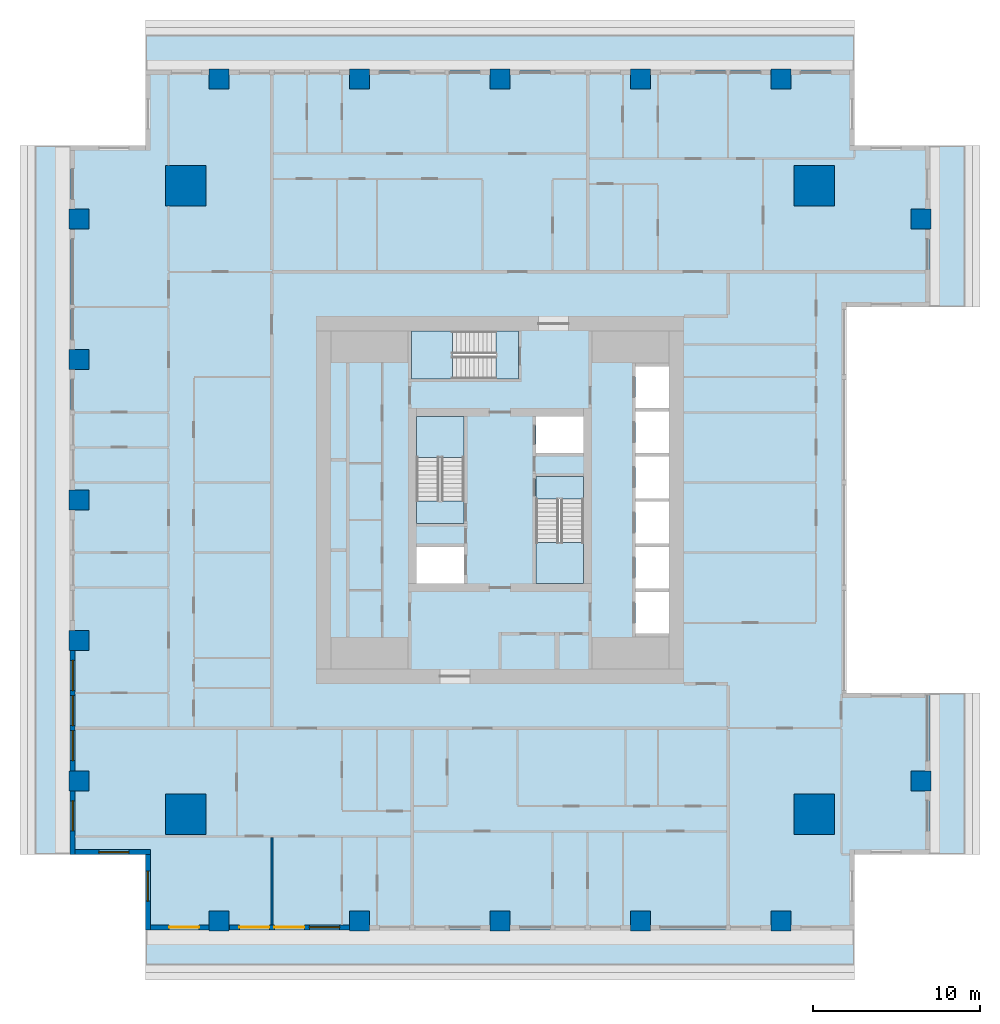
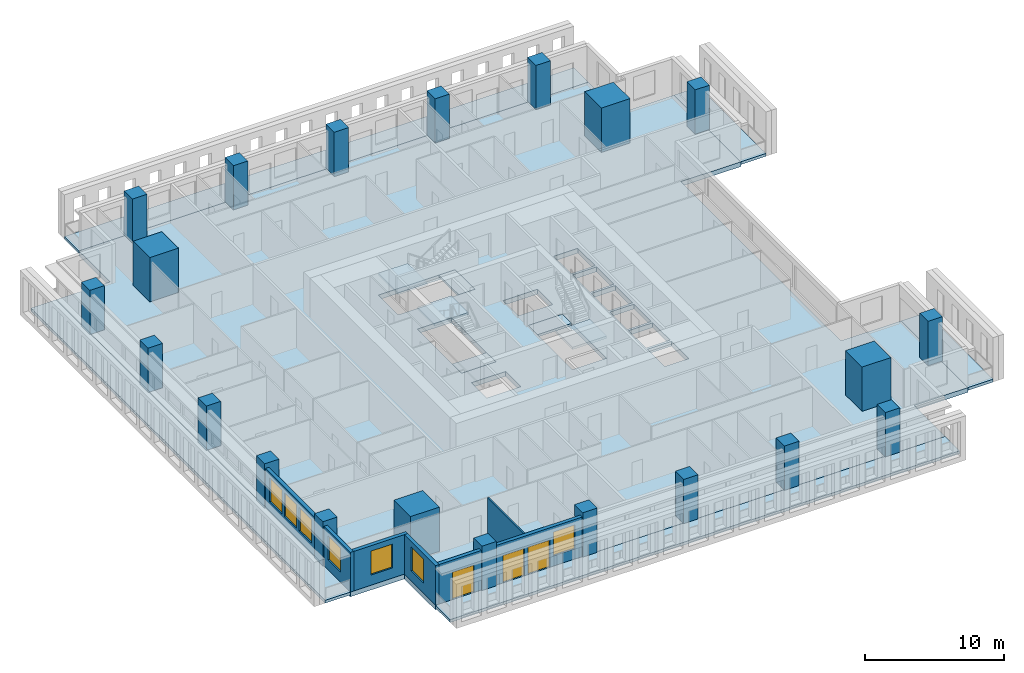
# One storey, part 1 of 15: 21 columns, 12 slabs, 7 walls, 7 windows, 3 doors, 10 openings, 3 elements without a shape of their own.
"""IFC4 building model written with IfcOpenShell, lengths in metres."""

from ifc_helpers import new_model, si_unit, direction, frame, frame_2d, origin, origin_2d, place, context, subcontext, project, spatial, polyline, rectangle, outline, extrude, material, layer, layer_set, material_profile, profile_set, type_object, element, fill, aggregate, save


model = new_model("IFC4")

# Units and contexts
model_context = context("Model", 3, precision=1e-05, world=origin(), true_north=direction((0.0, 1.0)))
body_context = subcontext(model_context, "Body", "Model", "MODEL_VIEW")
ifc_project = project(units=[si_unit("LENGTHUNIT", "METRE"), si_unit("AREAUNIT", "SQUARE_METRE"), si_unit("VOLUMEUNIT", "CUBIC_METRE"), si_unit("PLANEANGLEUNIT", "RADIAN"), si_unit("MASSUNIT", "GRAM", prefix="KILO")], contexts=[model_context])

# Site, building, storey
site_placement = place(None, origin())
site = spatial("IfcSite", under=ifc_project, at=site_placement, CompositionType="ELEMENT")
building_placement = place(site_placement, origin())
building = spatial("IfcBuilding", under=site, at=building_placement, Name="Khepri Terraces", CompositionType="ELEMENT")
storey_placement = place(building_placement, frame((0.0, 0.0, 223.5)))
storey = spatial("IfcBuildingStorey", under=building, at=storey_placement, Name="L53", CompositionType="ELEMENT", Elevation=223.5)

# Columns
ifc_material_1 = material(Name="Concrete C50/60", Category="concrete")
ifc_material_profile_1 = material_profile(ifc_material_1, rectangle(XDim=2.39990234375, YDim=2.39990234375, at=origin_2d()), Name="Concrete C50/60", Category="concrete")
ifc_profile_set_1 = profile_set([ifc_material_profile_1], Name="Concrete C50/60")
column_type_1 = type_object("IfcColumnType", Name="Mega column RC 2400x2400 C50/60", PredefinedType="COLUMN", material=ifc_profile_set_1)
for number, where, z_axis, x_axis, name in (
    (1, (18.800048828125, 18.800048828125, 0.0), (0.0, 0.0, 1.0), (1.0, 0.0, 0.0), "Mega column MEN L53"),
    (2, (18.800048828125, -18.800048828125, 0.0), (0.0, 0.0, 1.0), (1.0, 0.0, 0.0), "Mega column MES L53"),
    (3, (-18.800048828125, 18.800048828125, 0.0), (0.0, 0.0, 1.0), (1.0, 0.0, 0.0), "Mega column MWN L53"),
    (4, (-18.800048828125, -18.800048828125, 0.0), (0.0, 0.0, 1.0), (1.0, 0.0, 0.0), "Mega column MWS L53"),
):
    element("IfcColumn", number, at=place(storey_placement, frame(where, z_axis=z_axis, x_axis=x_axis)), inside=storey, type_object=column_type_1, Name=name, PredefinedType="COLUMN", context=body_context, shape_type="SweptSolid", body=[
        extrude(rectangle(XDim=2.39990234375, YDim=2.39990234375, at=origin_2d()), origin(), (0.0, 0.0, 1.0), 3.89990234375),
    ])
ifc_material_profile_2 = material_profile(ifc_material_1, rectangle(XDim=1.199951171875, YDim=1.199951171875, at=origin_2d()), Name="Concrete C50/60", Category="concrete")
ifc_profile_set_2 = profile_set([ifc_material_profile_2], Name="Concrete C50/60")
column_type_2 = type_object("IfcColumnType", Name="Tower column RC 1200x1200 C50/60", PredefinedType="COLUMN", material=ifc_profile_set_2)
for number, where, z_axis, x_axis, name in (
    (5, (25.199951171875, 16.800048828125, 0.0), (0.0, 0.0, 1.0), (1.0, 0.0, 0.0), "Perimeter column PE+168a L53"),
    (6, (25.199951171875, -16.800048828125, 0.0), (0.0, 0.0, 1.0), (1.0, 0.0, 0.0), "Perimeter column PE-168a L53"),
    (7, (0.0, 25.199951171875, 0.0), (0.0, 0.0, 1.0), (1.0, 0.0, 0.0), "Perimeter column PN+000b L53"),
    (8, (-8.39990234375, 25.199951171875, 0.0), (0.0, 0.0, 1.0), (1.0, 0.0, 0.0), "Perimeter column PN+084b L53"),
    (9, (-16.800048828125, 25.199951171875, 0.0), (0.0, 0.0, 1.0), (1.0, 0.0, 0.0), "Perimeter column PN+168a L53"),
    (10, (8.39990234375, 25.199951171875, 0.0), (0.0, 0.0, 1.0), (1.0, 0.0, 0.0), "Perimeter column PN-084b L53"),
    (11, (16.800048828125, 25.199951171875, 0.0), (0.0, 0.0, 1.0), (1.0, 0.0, 0.0), "Perimeter column PN-168a L53"),
    (12, (0.0, -25.199951171875, 0.0), (0.0, 0.0, 1.0), (1.0, 0.0, 0.0), "Perimeter column PS+000b L53"),
    (13, (8.39990234375, -25.199951171875, 0.0), (0.0, 0.0, 1.0), (1.0, 0.0, 0.0), "Perimeter column PS+084b L53"),
    (14, (16.800048828125, -25.199951171875, 0.0), (0.0, 0.0, 1.0), (1.0, 0.0, 0.0), "Perimeter column PS+168a L53"),
    (15, (-8.39990234375, -25.199951171875, 0.0), (0.0, 0.0, 1.0), (1.0, 0.0, 0.0), "Perimeter column PS-084b L53"),
    (16, (-16.800048828125, -25.199951171875, 0.0), (0.0, 0.0, 1.0), (1.0, 0.0, 0.0), "Perimeter column PS-168a L53"),
    (17, (-25.199951171875, 0.0, 0.0), (0.0, 0.0, 1.0), (1.0, 0.0, 0.0), "Perimeter column PW+000b L53"),
    (18, (-25.199951171875, -8.39990234375, 0.0), (0.0, 0.0, 1.0), (1.0, 0.0, 0.0), "Perimeter column PW+084b L53"),
    (19, (-25.199951171875, -16.800048828125, 0.0), (0.0, 0.0, 1.0), (1.0, 0.0, 0.0), "Perimeter column PW+168a L53"),
    (20, (-25.199951171875, 8.39990234375, 0.0), (0.0, 0.0, 1.0), (1.0, 0.0, 0.0), "Perimeter column PW-084b L53"),
    (21, (-25.199951171875, 16.800048828125, 0.0), (0.0, 0.0, 1.0), (1.0, 0.0, 0.0), "Perimeter column PW-168a L53"),
):
    element("IfcColumn", number, at=place(storey_placement, frame(where, z_axis=z_axis, x_axis=x_axis)), inside=storey, type_object=column_type_2, Name=name, PredefinedType="COLUMN", context=body_context, shape_type="SweptSolid", body=[
        extrude(rectangle(XDim=1.199951171875, YDim=1.199951171875, at=origin_2d()), origin(), (0.0, 0.0, 1.0), 3.89990234375),
    ])

# Slabs
ifc_material_2 = material(Name="Concrete C40/50", Category="concrete")
ifc_layer_1 = layer(ifc_material_2, 0.419921875, Name="Concrete C40/50", Category="concrete")
ifc_layer_set_1 = layer_set([ifc_layer_1], Name="Concrete C40/50")
slab_type_1 = type_object("IfcSlabType", Name="Flat plate 420", PredefinedType="FLOOR", material=ifc_layer_set_1)
slab_1_placement = place(storey_placement, frame((0.0, 0.0, -0.419921875)))
element("IfcSlab", 22, at=slab_1_placement, inside=storey, type_object=slab_type_1, Name="Floor slab F01 L53", PredefinedType="FLOOR", context=body_context, shape_type="SweptSolid", body=[
    extrude(outline(polyline([(25.719970703125, 11.550048828125), (20.719970703125, 11.550048828125), (20.719970703125, -11.550048828125), (25.719970703125, -11.550048828125), (25.719970703125, -21.219970703125), (21.219970703125, -21.219970703125), (21.219970703125, -25.719970703125), (-21.219970703125, -25.719970703125), (-21.219970703125, -21.219970703125), (-25.719970703125, -21.219970703125), (-25.719970703125, 21.219970703125), (-21.219970703125, 21.219970703125), (-21.219970703125, 25.719970703125), (21.219970703125, 25.719970703125), (21.219970703125, 21.219970703125), (25.719970703125, 21.219970703125), (25.719970703125, 11.550048828125)]), holes=[polyline([(2.14990234375, 2.800048828125), (5.0, 2.800048828125), (5.0, 5.0), (2.14990234375, 5.0), (2.14990234375, 2.800048828125)]), polyline([(-5.0, -2.800048828125), (-5.0, -5.0), (-2.14990234375, -5.0), (-2.14990234375, -2.800048828125), (-5.0, -2.800048828125)]), polyline([(10.10009765625, -5.5), (8.10009765625, -5.5), (8.10009765625, -8.0), (10.10009765625, -8.0), (10.10009765625, -5.5)]), polyline([(10.10009765625, -5.300048828125), (10.10009765625, -2.800048828125), (8.10009765625, -2.800048828125), (8.10009765625, -5.300048828125), (10.10009765625, -5.300048828125)]), polyline([(8.10009765625, -2.60009765625), (10.10009765625, -2.60009765625), (10.10009765625, -0.10009765625), (8.10009765625, -0.10009765625), (8.10009765625, -2.60009765625)]), polyline([(8.10009765625, 2.60009765625), (8.10009765625, 0.10009765625), (10.10009765625, 0.10009765625), (10.10009765625, 2.60009765625), (8.10009765625, 2.60009765625)]), polyline([(10.10009765625, 5.300048828125), (8.10009765625, 5.300048828125), (8.10009765625, 2.800048828125), (10.10009765625, 2.800048828125), (10.10009765625, 5.300048828125)]), polyline([(10.10009765625, 5.5), (10.10009765625, 8.0), (8.10009765625, 8.0), (8.10009765625, 5.5), (10.10009765625, 5.5)]), polyline([(-5.0, -1.39990234375), (-2.14990234375, -1.39990234375), (-2.14990234375, 5.0), (-5.0, 5.0), (-5.0, -1.39990234375)]), polyline([(5.0, -5.0), (5.0, 1.39990234375), (2.14990234375, 1.39990234375), (2.14990234375, -5.0), (5.0, -5.0)]), polyline([(-5.300048828125, 10.10009765625), (-5.300048828125, 7.25), (1.10009765625, 7.25), (1.10009765625, 10.10009765625), (-5.300048828125, 10.10009765625)])]), origin(), (0.0, 0.0, 1.0), 0.419921875),
])
ifc_material_3 = material(Name="Precast concrete C50/60 warm stone", Category="masonry")
ifc_layer_2 = layer(ifc_material_3, 0.25, Name="Precast concrete C50/60 warm stone", Category="masonry")
ifc_layer_set_2 = layer_set([ifc_layer_2], Name="Precast concrete C50/60 warm stone")
slab_type_2 = type_object("IfcSlabType", Name="SLB-BALCONY-250", PredefinedType="FLOOR", material=ifc_layer_set_2)
slab_2_placement = place(storey_placement, frame((0.0, 0.0, -0.25)))
element("IfcSlab", 23, at=slab_2_placement, inside=storey, type_object=slab_type_2, Name="Balcony slab L53 S", PredefinedType="FLOOR", context=body_context, shape_type="SweptSolid", body=[
    extrude(outline(polyline([(-17.39990234375, -25.719970703125), (-21.219970703125, -25.719970703125), (-21.219970703125, -27.820068359375), (21.219970703125, -27.820068359375), (21.219970703125, -25.719970703125), (17.39990234375, -25.719970703125), (17.39990234375, -25.800048828125), (16.199951171875, -25.800048828125), (16.199951171875, -25.719970703125), (9.0, -25.719970703125), (9.0, -25.800048828125), (7.800048828125, -25.800048828125), (7.800048828125, -25.719970703125), (0.60009765625, -25.719970703125), (0.60009765625, -25.800048828125), (-0.60009765625, -25.800048828125), (-0.60009765625, -25.719970703125), (-7.800048828125, -25.719970703125), (-7.800048828125, -25.800048828125), (-9.0, -25.800048828125), (-9.0, -25.719970703125), (-16.199951171875, -25.719970703125), (-16.199951171875, -25.800048828125), (-17.39990234375, -25.800048828125), (-17.39990234375, -25.719970703125)])), origin(), (0.0, 0.0, 1.0), 0.25),
])
slab_3_placement = place(storey_placement, frame((0.0, 0.0, -0.25)))
element("IfcSlab", 24, at=slab_3_placement, inside=storey, type_object=slab_type_2, Name="Balcony slab L53 E", PredefinedType="FLOOR", context=body_context, shape_type="SweptSolid", body=[
    extrude(outline(polyline([(25.719970703125, -17.39990234375), (25.719970703125, -21.219970703125), (27.820068359375, -21.219970703125), (27.820068359375, -11.550048828125), (25.719970703125, -11.550048828125), (25.719970703125, -16.199951171875), (25.800048828125, -16.199951171875), (25.800048828125, -17.39990234375), (25.719970703125, -17.39990234375)])), origin(), (0.0, 0.0, 1.0), 0.25),
])
slab_4_placement = place(storey_placement, frame((0.0, 0.0, -0.25)))
element("IfcSlab", 25, at=slab_4_placement, inside=storey, type_object=slab_type_2, Name="Balcony slab L53 E", PredefinedType="FLOOR", context=body_context, shape_type="SweptSolid", body=[
    extrude(outline(polyline([(25.719970703125, 16.199951171875), (25.719970703125, 11.550048828125), (27.820068359375, 11.550048828125), (27.820068359375, 21.219970703125), (25.719970703125, 21.219970703125), (25.719970703125, 17.39990234375), (25.800048828125, 17.39990234375), (25.800048828125, 16.199951171875), (25.719970703125, 16.199951171875)])), origin(), (0.0, 0.0, 1.0), 0.25),
])
slab_5_placement = place(storey_placement, frame((0.0, 0.0, -0.25)))
element("IfcSlab", 26, at=slab_5_placement, inside=storey, type_object=slab_type_2, Name="Balcony slab L53 N", PredefinedType="FLOOR", context=body_context, shape_type="SweptSolid", body=[
    extrude(outline(polyline([(17.39990234375, 25.719970703125), (21.219970703125, 25.719970703125), (21.219970703125, 27.820068359375), (-21.219970703125, 27.820068359375), (-21.219970703125, 25.719970703125), (-17.39990234375, 25.719970703125), (-17.39990234375, 25.800048828125), (-16.199951171875, 25.800048828125), (-16.199951171875, 25.719970703125), (-9.0, 25.719970703125), (-9.0, 25.800048828125), (-7.800048828125, 25.800048828125), (-7.800048828125, 25.719970703125), (-0.60009765625, 25.719970703125), (-0.60009765625, 25.800048828125), (0.60009765625, 25.800048828125), (0.60009765625, 25.719970703125), (7.800048828125, 25.719970703125), (7.800048828125, 25.800048828125), (9.0, 25.800048828125), (9.0, 25.719970703125), (16.199951171875, 25.719970703125), (16.199951171875, 25.800048828125), (17.39990234375, 25.800048828125), (17.39990234375, 25.719970703125)])), origin(), (0.0, 0.0, 1.0), 0.25),
])
slab_6_placement = place(storey_placement, frame((0.0, 0.0, -0.25)))
element("IfcSlab", 27, at=slab_6_placement, inside=storey, type_object=slab_type_2, Name="Balcony slab L53 W", PredefinedType="FLOOR", context=body_context, shape_type="SweptSolid", body=[
    extrude(outline(polyline([(-25.719970703125, 17.39990234375), (-25.719970703125, 21.219970703125), (-27.820068359375, 21.219970703125), (-27.820068359375, -21.219970703125), (-25.719970703125, -21.219970703125), (-25.719970703125, -17.39990234375), (-25.800048828125, -17.39990234375), (-25.800048828125, -16.199951171875), (-25.719970703125, -16.199951171875), (-25.719970703125, -9.0), (-25.800048828125, -9.0), (-25.800048828125, -7.800048828125), (-25.719970703125, -7.800048828125), (-25.719970703125, -0.60009765625), (-25.800048828125, -0.60009765625), (-25.800048828125, 0.60009765625), (-25.719970703125, 0.60009765625), (-25.719970703125, 7.800048828125), (-25.800048828125, 7.800048828125), (-25.800048828125, 9.0), (-25.719970703125, 9.0), (-25.719970703125, 16.199951171875), (-25.800048828125, 16.199951171875), (-25.800048828125, 17.39990234375), (-25.719970703125, 17.39990234375)])), origin(), (0.0, 0.0, 1.0), 0.25),
])

# Stair, slabs
stair_type = type_object("IfcStairType", Name="STAIR-RC-22R", PredefinedType="HALF_TURN_STAIR", material=ifc_material_2)
stair_1_placement = place(storey_placement, origin())
stair_1 = element("IfcStair", 28, at=stair_1_placement, inside=storey, type_object=stair_type, Name="L53 Exit Stair ST-1", PredefinedType="HALF_TURN_STAIR")
ifc_layer_3 = layer(ifc_material_2, 0.199951171875, Name="Concrete C40/50", Category="concrete")
ifc_layer_set_3 = layer_set([ifc_layer_3], Name="Concrete C40/50")
slab_type_3 = type_object("IfcSlabType", Name="SLB-CORE-LANDING", PredefinedType="LANDING", material=ifc_layer_set_3)
slab_7_placement = place(storey_placement, frame((0.0, 0.0, -0.199951171875)))
slab_7 = element("IfcSlab", 29, at=slab_7_placement, type_object=slab_type_3, Name="ST-1 landing 1", PredefinedType="LANDING", context=body_context, shape_type="SweptSolid", body=[
    extrude(outline(polyline([(-2.14990234375, -1.39990234375), (-2.14990234375, -0.050048828125), (-5.0, -0.050048828125), (-5.0, -1.39990234375), (-2.14990234375, -1.39990234375)])), origin(), (0.0, 0.0, 1.0), 0.199951171875),
])
slab_8_placement = place(storey_placement, frame((0.0, 0.0, 1.75)))
slab_8 = element("IfcSlab", 30, at=slab_8_placement, type_object=slab_type_3, Name="ST-1 landing 2", PredefinedType="LANDING", context=body_context, shape_type="SweptSolid", body=[
    extrude(outline(polyline([(-2.14990234375, 2.550048828125), (-2.14990234375, 5.0), (-5.0, 5.0), (-5.0, 2.550048828125), (-2.14990234375, 2.550048828125)])), origin(), (0.0, 0.0, 1.0), 0.199951171875),
])
aggregate(stair_1, [slab_7, slab_8])

stair_2_placement = place(storey_placement, origin())
stair_2 = element("IfcStair", 31, at=stair_2_placement, inside=storey, type_object=stair_type, Name="L53 Exit Stair ST-2", PredefinedType="HALF_TURN_STAIR")
slab_9_placement = place(storey_placement, frame((0.0, 0.0, -0.199951171875)))
slab_9 = element("IfcSlab", 32, at=slab_9_placement, type_object=slab_type_3, Name="ST-2 landing 1", PredefinedType="LANDING", context=body_context, shape_type="SweptSolid", body=[
    extrude(outline(polyline([(2.14990234375, 1.39990234375), (2.14990234375, 0.050048828125), (5.0, 0.050048828125), (5.0, 1.39990234375), (2.14990234375, 1.39990234375)])), origin(), (0.0, 0.0, 1.0), 0.199951171875),
])
slab_10_placement = place(storey_placement, frame((0.0, 0.0, 1.75)))
slab_10 = element("IfcSlab", 33, at=slab_10_placement, type_object=slab_type_3, Name="ST-2 landing 2", PredefinedType="LANDING", context=body_context, shape_type="SweptSolid", body=[
    extrude(outline(polyline([(2.14990234375, -2.550048828125), (2.14990234375, -5.0), (5.0, -5.0), (5.0, -2.550048828125), (2.14990234375, -2.550048828125)])), origin(), (0.0, 0.0, 1.0), 0.199951171875),
])
aggregate(stair_2, [slab_9, slab_10])

stair_3_placement = place(storey_placement, origin())
stair_3 = element("IfcStair", 34, at=stair_3_placement, inside=storey, type_object=stair_type, Name="L53 Exit Stair ST-3", PredefinedType="HALF_TURN_STAIR")
slab_11_placement = place(storey_placement, frame((0.0, 0.0, -0.199951171875)))
slab_11 = element("IfcSlab", 35, at=slab_11_placement, type_object=slab_type_3, Name="ST-3 landing 1", PredefinedType="LANDING", context=body_context, shape_type="SweptSolid", body=[
    extrude(outline(polyline([(1.10009765625, 10.10009765625), (-0.25, 10.10009765625), (-0.25, 7.25), (1.10009765625, 7.25), (1.10009765625, 10.10009765625)])), origin(), (0.0, 0.0, 1.0), 0.199951171875),
])
slab_12_placement = place(storey_placement, frame((0.0, 0.0, 1.75)))
slab_12 = element("IfcSlab", 36, at=slab_12_placement, type_object=slab_type_3, Name="ST-3 landing 2", PredefinedType="LANDING", context=body_context, shape_type="SweptSolid", body=[
    extrude(outline(polyline([(-2.85009765625, 10.10009765625), (-5.300048828125, 10.10009765625), (-5.300048828125, 7.25), (-2.85009765625, 7.25), (-2.85009765625, 10.10009765625)])), origin(), (0.0, 0.0, 1.0), 0.199951171875),
])
aggregate(stair_3, [slab_11, slab_12])

# Wall, openings, windows
ifc_layer_4 = layer(ifc_material_3, 0.300048828125, Name="Precast concrete C50/60 warm stone", Category="masonry")
ifc_layer_set_4 = layer_set([ifc_layer_4], Name="Precast concrete C50/60 warm stone")
wall_type_1 = type_object("IfcWallType", Name="WL-EXT-PRECAST-300", PredefinedType="STANDARD", material=ifc_layer_set_4)
wall_1_placement = place(storey_placement, frame((-25.570068359375, -9.0, 0.0), z_axis=(0.0, 0.0, 1.0), x_axis=(0.0, -1.0, 0.0)))
wall_1 = element("IfcWall", 37, at=wall_1_placement, inside=storey, type_object=wall_type_1, Name="External wall L53 W", PredefinedType="STANDARD", context=body_context, shape_type="SweptSolid", body=[
    extrude(rectangle(XDim=7.199951171875, YDim=0.300048828125, at=frame_2d((3.60009765625, 0.0))), origin(), (0.0, 0.0, 1.0), 3.47998046875),
])
opening_1_placement = place(wall_1_placement, frame((0.60009765625, 0.0, 0.89990234375)))
opening_1 = element("IfcOpeningElement", 38, at=opening_1_placement, cuts=wall_1, Name="Opening W1", PredefinedType="OPENING", context=body_context, shape_type="SweptSolid", body=[
    extrude(rectangle(XDim=1.800048828125, YDim=2.10009765625, at=frame_2d((0.89990234375, 1.050048828125))), frame((0.0, 0.16015625, 0.0), z_axis=(0.0, -1.0, 0.0), x_axis=(1.0, 0.0, 0.0)), (0.0, 0.0, 1.0), 0.320068359375),
])
opening_2_placement = place(wall_1_placement, frame((2.699951171875, 0.0, 0.89990234375)))
opening_2 = element("IfcOpeningElement", 39, at=opening_2_placement, cuts=wall_1, Name="Opening W1", PredefinedType="OPENING", context=body_context, shape_type="SweptSolid", body=[
    extrude(rectangle(XDim=1.800048828125, YDim=2.10009765625, at=frame_2d((0.89990234375, 1.050048828125))), frame((0.0, 0.16015625, 0.0), z_axis=(0.0, -1.0, 0.0), x_axis=(1.0, 0.0, 0.0)), (0.0, 0.0, 1.0), 0.320068359375),
])
opening_3_placement = place(wall_1_placement, frame((4.800048828125, 0.0, 0.89990234375)))
opening_3 = element("IfcOpeningElement", 40, at=opening_3_placement, cuts=wall_1, Name="Opening W1", PredefinedType="OPENING", context=body_context, shape_type="SweptSolid", body=[
    extrude(rectangle(XDim=1.800048828125, YDim=2.10009765625, at=frame_2d((0.89990234375, 1.050048828125))), frame((0.0, 0.16015625, 0.0), z_axis=(0.0, -1.0, 0.0), x_axis=(1.0, 0.0, 0.0)), (0.0, 0.0, 1.0), 0.320068359375),
])
ifc_material_4 = material(Name="Clear glass", Category="glass")
window_type = type_object("IfcWindowType", Name="WIN-RES-1800x2100", PartitioningType="SINGLE_PANEL", PredefinedType="WINDOW", material=ifc_material_4)
window_1_placement = place(opening_1_placement, origin())
window_1 = element("IfcWindow", 41, at=window_1_placement, inside=storey, type_object=window_type, Name="Window L53 W", OverallHeight=2.10009765625, OverallWidth=1.800048828125, PartitioningType="SINGLE_PANEL", PredefinedType="WINDOW", context=body_context, shape_type="SweptSolid", body=[
    extrude(rectangle(XDim=1.800048828125, YDim=2.10009765625, at=frame_2d((0.89990234375, 1.050048828125))), frame((0.0, 0.030029296875, 0.0), z_axis=(0.0, -1.0, 0.0), x_axis=(1.0, 0.0, 0.0)), (0.0, 0.0, 1.0), 0.06005859375),
])
fill(opening_1, window_1)
window_2_placement = place(opening_2_placement, origin())
window_2 = element("IfcWindow", 42, at=window_2_placement, inside=storey, type_object=window_type, Name="Window L53 W", OverallHeight=2.10009765625, OverallWidth=1.800048828125, PartitioningType="SINGLE_PANEL", PredefinedType="WINDOW", context=body_context, shape_type="SweptSolid", body=[
    extrude(rectangle(XDim=1.800048828125, YDim=2.10009765625, at=frame_2d((0.89990234375, 1.050048828125))), frame((0.0, 0.030029296875, 0.0), z_axis=(0.0, -1.0, 0.0), x_axis=(1.0, 0.0, 0.0)), (0.0, 0.0, 1.0), 0.06005859375),
])
fill(opening_2, window_2)
window_3_placement = place(opening_3_placement, origin())
window_3 = element("IfcWindow", 43, at=window_3_placement, inside=storey, type_object=window_type, Name="Window L53 W", OverallHeight=2.10009765625, OverallWidth=1.800048828125, PartitioningType="SINGLE_PANEL", PredefinedType="WINDOW", context=body_context, shape_type="SweptSolid", body=[
    extrude(rectangle(XDim=1.800048828125, YDim=2.10009765625, at=frame_2d((0.89990234375, 1.050048828125))), frame((0.0, 0.030029296875, 0.0), z_axis=(0.0, -1.0, 0.0), x_axis=(1.0, 0.0, 0.0)), (0.0, 0.0, 1.0), 0.06005859375),
])
fill(opening_3, window_3)

# Wall, opening, window
wall_2_placement = place(storey_placement, frame((-25.570068359375, -17.39990234375, 0.0), z_axis=(0.0, 0.0, 1.0), x_axis=(0.0, -1.0, 0.0)))
wall_2 = element("IfcWall", 44, at=wall_2_placement, inside=storey, type_object=wall_type_1, Name="External wall L53 W", PredefinedType="STANDARD", context=body_context, shape_type="SweptSolid", body=[
    extrude(rectangle(XDim=3.820068359375, YDim=0.300048828125, at=frame_2d((1.91015625, 0.0))), origin(), (0.0, 0.0, 1.0), 3.47998046875),
])
opening_4_placement = place(wall_2_placement, frame((0.60009765625, 0.0, 0.89990234375)))
opening_4 = element("IfcOpeningElement", 45, at=opening_4_placement, cuts=wall_2, Name="Opening W1", PredefinedType="OPENING", context=body_context, shape_type="SweptSolid", body=[
    extrude(rectangle(XDim=1.800048828125, YDim=2.10009765625, at=frame_2d((0.89990234375, 1.050048828125))), frame((0.0, 0.16015625, 0.0), z_axis=(0.0, -1.0, 0.0), x_axis=(1.0, 0.0, 0.0)), (0.0, 0.0, 1.0), 0.320068359375),
])
window_4_placement = place(opening_4_placement, origin())
window_4 = element("IfcWindow", 46, at=window_4_placement, inside=storey, type_object=window_type, Name="Window L53 W", OverallHeight=2.10009765625, OverallWidth=1.800048828125, PartitioningType="SINGLE_PANEL", PredefinedType="WINDOW", context=body_context, shape_type="SweptSolid", body=[
    extrude(rectangle(XDim=1.800048828125, YDim=2.10009765625, at=frame_2d((0.89990234375, 1.050048828125))), frame((0.0, 0.030029296875, 0.0), z_axis=(0.0, -1.0, 0.0), x_axis=(1.0, 0.0, 0.0)), (0.0, 0.0, 1.0), 0.06005859375),
])
fill(opening_4, window_4)

wall_3_placement = place(storey_placement, frame((-25.419921875, -21.070068359375, 0.0), z_axis=(0.0, 0.0, 1.0), x_axis=(1.0, 0.0, 0.0)))
wall_3 = element("IfcWall", 47, at=wall_3_placement, inside=storey, type_object=wall_type_1, Name="External wall L53 S", PredefinedType="STANDARD", context=body_context, shape_type="SweptSolid", body=[
    extrude(rectangle(XDim=4.5, YDim=0.300048828125, at=frame_2d((2.25, 0.0))), origin(), (0.0, 0.0, 1.0), 3.47998046875),
])
opening_5_placement = place(wall_3_placement, frame((1.419921875, 0.0, 0.89990234375)))
opening_5 = element("IfcOpeningElement", 48, at=opening_5_placement, cuts=wall_3, Name="Opening W1", PredefinedType="OPENING", context=body_context, shape_type="SweptSolid", body=[
    extrude(rectangle(XDim=1.800048828125, YDim=2.10009765625, at=frame_2d((0.89990234375, 1.050048828125))), frame((0.0, 0.16015625, 0.0), z_axis=(0.0, -1.0, 0.0), x_axis=(1.0, 0.0, 0.0)), (0.0, 0.0, 1.0), 0.320068359375),
])
window_5_placement = place(opening_5_placement, origin())
window_5 = element("IfcWindow", 49, at=window_5_placement, inside=storey, type_object=window_type, Name="Window L53 S", OverallHeight=2.10009765625, OverallWidth=1.800048828125, PartitioningType="SINGLE_PANEL", PredefinedType="WINDOW", context=body_context, shape_type="SweptSolid", body=[
    extrude(rectangle(XDim=1.800048828125, YDim=2.10009765625, at=frame_2d((0.89990234375, 1.050048828125))), frame((0.0, 0.030029296875, 0.0), z_axis=(0.0, -1.0, 0.0), x_axis=(1.0, 0.0, 0.0)), (0.0, 0.0, 1.0), 0.06005859375),
])
fill(opening_5, window_5)

wall_4_placement = place(storey_placement, frame((-21.070068359375, -21.219970703125, 0.0), z_axis=(0.0, 0.0, 1.0), x_axis=(0.0, -1.0, 0.0)))
wall_4 = element("IfcWall", 50, at=wall_4_placement, inside=storey, type_object=wall_type_1, Name="External wall L53 W", PredefinedType="STANDARD", context=body_context, shape_type="SweptSolid", body=[
    extrude(rectangle(XDim=4.5, YDim=0.300048828125, at=frame_2d((2.25, 0.0))), origin(), (0.0, 0.0, 1.0), 3.47998046875),
])
opening_6_placement = place(wall_4_placement, frame((0.97998046875, 0.0, 0.89990234375)))
opening_6 = element("IfcOpeningElement", 51, at=opening_6_placement, cuts=wall_4, Name="Opening W1", PredefinedType="OPENING", context=body_context, shape_type="SweptSolid", body=[
    extrude(rectangle(XDim=1.800048828125, YDim=2.10009765625, at=frame_2d((0.89990234375, 1.050048828125))), frame((0.0, 0.16015625, 0.0), z_axis=(0.0, -1.0, 0.0), x_axis=(1.0, 0.0, 0.0)), (0.0, 0.0, 1.0), 0.320068359375),
])
window_6_placement = place(opening_6_placement, origin())
window_6 = element("IfcWindow", 52, at=window_6_placement, inside=storey, type_object=window_type, Name="Window L53 W", OverallHeight=2.10009765625, OverallWidth=1.800048828125, PartitioningType="SINGLE_PANEL", PredefinedType="WINDOW", context=body_context, shape_type="SweptSolid", body=[
    extrude(rectangle(XDim=1.800048828125, YDim=2.10009765625, at=frame_2d((0.89990234375, 1.050048828125))), frame((0.0, 0.030029296875, 0.0), z_axis=(0.0, -1.0, 0.0), x_axis=(1.0, 0.0, 0.0)), (0.0, 0.0, 1.0), 0.06005859375),
])
fill(opening_6, window_6)

# Wall, opening, door
wall_5_placement = place(storey_placement, frame((-20.919921875, -25.570068359375, 0.0), z_axis=(0.0, 0.0, 1.0), x_axis=(1.0, 0.0, 0.0)))
wall_5 = element("IfcWall", 53, at=wall_5_placement, inside=storey, type_object=wall_type_1, Name="External wall L53 S", PredefinedType="STANDARD", context=body_context, shape_type="SweptSolid", body=[
    extrude(rectangle(XDim=3.52001953125, YDim=0.300048828125, at=frame_2d((1.760009765625, 0.0))), origin(), (0.0, 0.0, 1.0), 3.47998046875),
])
opening_7_placement = place(wall_5_placement, frame((1.1201171875, 0.0, 0.0)))
opening_7 = element("IfcOpeningElement", 54, at=opening_7_placement, cuts=wall_5, Name="Opening ED-L53-14", PredefinedType="OPENING", context=body_context, shape_type="SweptSolid", body=[
    extrude(rectangle(XDim=1.800048828125, YDim=2.39990234375, at=frame_2d((0.89990234375, 1.199951171875))), frame((0.0, 0.16015625, 0.0), z_axis=(0.0, -1.0, 0.0), x_axis=(1.0, 0.0, 0.0)), (0.0, 0.0, 1.0), 0.320068359375),
])
ifc_material_5 = material(Name="Anodised aluminium bronze glazed door", Category="aluminium")
door_type = type_object("IfcDoorType", Name="DR-BAL-SLIDE-1800x2400", OperationType="NOTDEFINED", PredefinedType="DOOR", material=ifc_material_5)
door_1_placement = place(opening_7_placement, origin())
door_1 = element("IfcDoor", 55, at=door_1_placement, inside=storey, type_object=door_type, Name="Balcony door L53 S", OperationType="SLIDING_TO_RIGHT", OverallHeight=2.39990234375, OverallWidth=1.800048828125, PredefinedType="DOOR", context=body_context, shape_type="SweptSolid", body=[
    extrude(rectangle(XDim=1.800048828125, YDim=2.39990234375, at=frame_2d((0.89990234375, 1.199951171875))), frame((0.0, 0.02490234375, 0.0), z_axis=(0.0, -1.0, 0.0), x_axis=(1.0, 0.0, 0.0)), (0.0, 0.0, 1.0), 0.050048828125),
])
fill(opening_7, door_1)

# Wall, openings, doors, window
wall_6_placement = place(storey_placement, frame((-16.199951171875, -25.570068359375, 0.0), z_axis=(0.0, 0.0, 1.0), x_axis=(1.0, 0.0, 0.0)))
wall_6 = element("IfcWall", 56, at=wall_6_placement, inside=storey, type_object=wall_type_1, Name="External wall L53 S", PredefinedType="STANDARD", context=body_context, shape_type="SweptSolid", body=[
    extrude(rectangle(XDim=7.199951171875, YDim=0.300048828125, at=frame_2d((3.60009765625, 0.0))), origin(), (0.0, 0.0, 1.0), 3.47998046875),
])
opening_8_placement = place(wall_6_placement, frame((0.60009765625, 0.0, 0.0)))
opening_8 = element("IfcOpeningElement", 57, at=opening_8_placement, cuts=wall_6, Name="Opening ED-L53-15", PredefinedType="OPENING", context=body_context, shape_type="SweptSolid", body=[
    extrude(rectangle(XDim=1.800048828125, YDim=2.39990234375, at=frame_2d((0.89990234375, 1.199951171875))), frame((0.0, 0.16015625, 0.0), z_axis=(0.0, -1.0, 0.0), x_axis=(1.0, 0.0, 0.0)), (0.0, 0.0, 1.0), 0.320068359375),
])
opening_9_placement = place(wall_6_placement, frame((2.699951171875, 0.0, 0.0)))
opening_9 = element("IfcOpeningElement", 58, at=opening_9_placement, cuts=wall_6, Name="Opening ED-L53-16", PredefinedType="OPENING", context=body_context, shape_type="SweptSolid", body=[
    extrude(rectangle(XDim=1.800048828125, YDim=2.39990234375, at=frame_2d((0.89990234375, 1.199951171875))), frame((0.0, 0.16015625, 0.0), z_axis=(0.0, -1.0, 0.0), x_axis=(1.0, 0.0, 0.0)), (0.0, 0.0, 1.0), 0.320068359375),
])
opening_10_placement = place(wall_6_placement, frame((4.800048828125, 0.0, 0.89990234375)))
opening_10 = element("IfcOpeningElement", 59, at=opening_10_placement, cuts=wall_6, Name="Opening W1", PredefinedType="OPENING", context=body_context, shape_type="SweptSolid", body=[
    extrude(rectangle(XDim=1.800048828125, YDim=2.10009765625, at=frame_2d((0.89990234375, 1.050048828125))), frame((0.0, 0.16015625, 0.0), z_axis=(0.0, -1.0, 0.0), x_axis=(1.0, 0.0, 0.0)), (0.0, 0.0, 1.0), 0.320068359375),
])
door_2_placement = place(opening_8_placement, origin())
door_2 = element("IfcDoor", 60, at=door_2_placement, inside=storey, type_object=door_type, Name="Balcony door L53 S", OperationType="SLIDING_TO_LEFT", OverallHeight=2.39990234375, OverallWidth=1.800048828125, PredefinedType="DOOR", context=body_context, shape_type="SweptSolid", body=[
    extrude(rectangle(XDim=1.800048828125, YDim=2.39990234375, at=frame_2d((0.89990234375, 1.199951171875))), frame((0.0, 0.02490234375, 0.0), z_axis=(0.0, -1.0, 0.0), x_axis=(1.0, 0.0, 0.0)), (0.0, 0.0, 1.0), 0.050048828125),
])
fill(opening_8, door_2)
door_3_placement = place(opening_9_placement, origin())
door_3 = element("IfcDoor", 61, at=door_3_placement, inside=storey, type_object=door_type, Name="Balcony door L53 S", OperationType="SLIDING_TO_RIGHT", OverallHeight=2.39990234375, OverallWidth=1.800048828125, PredefinedType="DOOR", context=body_context, shape_type="SweptSolid", body=[
    extrude(rectangle(XDim=1.800048828125, YDim=2.39990234375, at=frame_2d((0.89990234375, 1.199951171875))), frame((0.0, 0.02490234375, 0.0), z_axis=(0.0, -1.0, 0.0), x_axis=(1.0, 0.0, 0.0)), (0.0, 0.0, 1.0), 0.050048828125),
])
fill(opening_9, door_3)
window_7_placement = place(opening_10_placement, origin())
window_7 = element("IfcWindow", 62, at=window_7_placement, inside=storey, type_object=window_type, Name="Window L53 S", OverallHeight=2.10009765625, OverallWidth=1.800048828125, PartitioningType="SINGLE_PANEL", PredefinedType="WINDOW", context=body_context, shape_type="SweptSolid", body=[
    extrude(rectangle(XDim=1.800048828125, YDim=2.10009765625, at=frame_2d((0.89990234375, 1.050048828125))), frame((0.0, 0.030029296875, 0.0), z_axis=(0.0, -1.0, 0.0), x_axis=(1.0, 0.0, 0.0)), (0.0, 0.0, 1.0), 0.06005859375),
])
fill(opening_10, window_7)

# Wall
ifc_material_6 = material(Name="Gypsum plasterboard partition")
ifc_layer_5 = layer(ifc_material_6, 0.1201171875, Name="Gypsum plasterboard partition")
ifc_layer_set_5 = layer_set([ifc_layer_5], Name="Gypsum plasterboard partition")
wall_type_2 = type_object("IfcWallType", Name="WL-PART-120", PredefinedType="PARTITIONING", material=ifc_layer_set_5)
wall_7_placement = place(storey_placement, frame((-13.64990234375, -25.419921875, 0.0), z_axis=(0.0, 0.0, 1.0), x_axis=(0.0, 1.0, 0.0)))
element("IfcWall", 63, at=wall_7_placement, inside=storey, type_object=wall_type_2, Name="Partition P-001 L53", PredefinedType="PARTITIONING", context=body_context, shape_type="SweptSolid", body=[
    extrude(rectangle(XDim=5.239990234375, YDim=0.1201171875, at=frame_2d((2.6201171875, 0.0))), origin(), (0.0, 0.0, 1.0), 3.47998046875),
])

save(model, "model.ifc")
